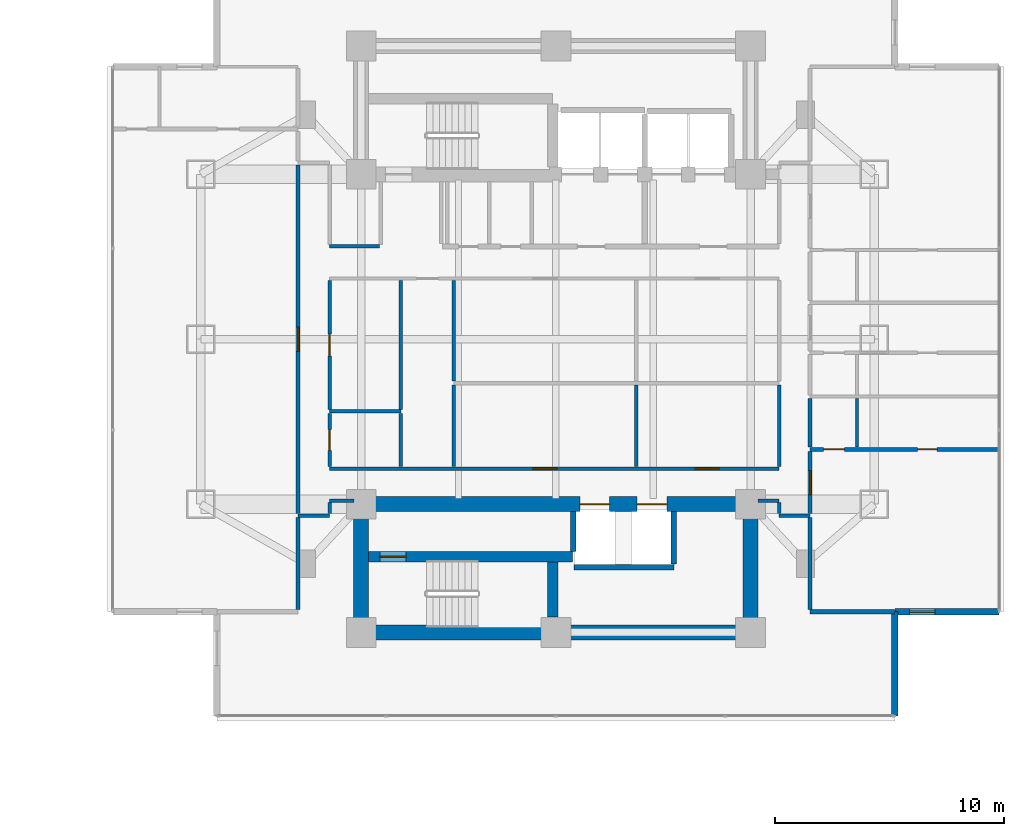
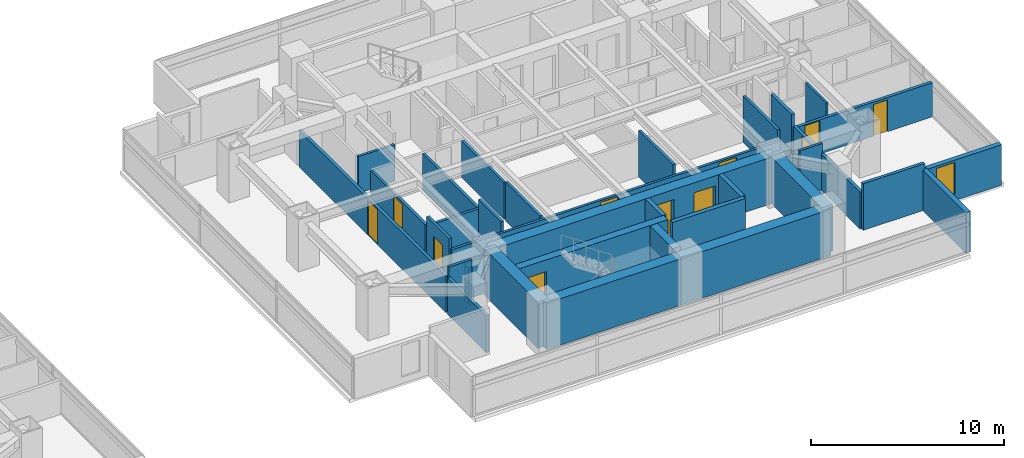
# One storey, part 18 of 26: 36 walls, 11 doors, 1 window, 12 openings.
"""IFC4 building model written with IfcOpenShell, lengths in metres."""

from ifc_helpers import new_model, si_unit, direction, frame, frame_2d, origin, place, context, subcontext, project, spatial, rectangle, extrude, material, layer, layer_set, type_object, element, fill, save


model = new_model("IFC4")

# Units and contexts
model_context = context("Model", 3, precision=1e-05, world=origin(), true_north=direction((0.0, 1.0)))
body_context = subcontext(model_context, "Body", "Model", "MODEL_VIEW")
ifc_project = project(units=[si_unit("LENGTHUNIT", "METRE"), si_unit("AREAUNIT", "SQUARE_METRE"), si_unit("VOLUMEUNIT", "CUBIC_METRE"), si_unit("PLANEANGLEUNIT", "RADIAN"), si_unit("MASSUNIT", "GRAM", prefix="KILO")], contexts=[model_context])

# Site, building, storey
site_placement = place(None, origin())
site = spatial("IfcSite", under=ifc_project, at=site_placement, CompositionType="ELEMENT")
building_placement = place(site_placement, origin())
building = spatial("IfcBuilding", under=site, at=building_placement, Name="Mirazonda Arch Towers", CompositionType="ELEMENT")
storey_placement = place(building_placement, frame((0.0, 0.0, 78.5)))
storey = spatial("IfcBuildingStorey", under=building, at=storey_placement, Name="L22", CompositionType="ELEMENT", Elevation=78.5)

# Wall, opening, door
ifc_material_1 = material(Name="Concrete C50/60", Category="concrete")
ifc_layer_1 = layer(ifc_material_1, 0.449951171875, Name="WALL-CORE-450")
ifc_layer_set_1 = layer_set([ifc_layer_1], Name="Concrete C50/60")
wall_type_1 = type_object("IfcWallType", Name="WALL-CORE-450", PredefinedType="SHEAR", material=ifc_layer_set_1)
wall_1_placement = place(storey_placement, frame((68.320068359375, 18.5, 0.0), z_axis=(0.0, 0.0, 1.0), x_axis=(1.0, 0.0, 0.0)))
wall_1 = element("IfcWall", 1, at=wall_1_placement, inside=storey, type_object=wall_type_1, Name="L22 Stair Core Shear Wall 014", PredefinedType="SHEAR", context=body_context, shape_type="SweptSolid", body=[
    extrude(rectangle(XDim=8.89990234375, YDim=0.449951171875, at=frame_2d((4.449951171875, 0.0))), origin(), (0.0, 0.0, 1.0), 2.93994140625),
])
opening_1_placement = place(wall_1_placement, frame((0.4951171875, 0.0, 0.0)))
opening_1 = element("IfcOpeningElement", 2, at=opening_1_placement, cuts=wall_1, Name="Opening DR-135", PredefinedType="OPENING", context=body_context, shape_type="SweptSolid", body=[
    extrude(rectangle(XDim=1.14990234375, YDim=2.199951171875, at=frame_2d((0.574951171875, 1.10009765625))), frame((0.0, 0.23486328125, 0.0), z_axis=(0.0, -1.0, 0.0), x_axis=(1.0, 0.0, 0.0)), (0.0, 0.0, 1.0), 0.469970703125),
])
ifc_material_2 = material(Name="Architectural Brushed Steel S355", Category="steel")
door_type_1 = type_object("IfcDoorType", Name="DOOR-STAIR-FD90-1150", OperationType="NOTDEFINED", PredefinedType="DOOR", material=ifc_material_2)
door_1_placement = place(opening_1_placement, origin())
door_1 = element("IfcDoor", 3, at=door_1_placement, inside=storey, type_object=door_type_1, Name="L22 East Protected Stair South Door", OperationType="SINGLE_SWING_RIGHT", OverallHeight=2.199951171875, OverallWidth=1.14990234375, PredefinedType="DOOR", context=body_context, shape_type="SweptSolid", body=[
    extrude(rectangle(XDim=1.14990234375, YDim=2.199951171875, at=frame_2d((0.574951171875, 1.10009765625))), frame((0.0, 0.02490234375, 0.0), z_axis=(0.0, -1.0, 0.0), x_axis=(1.0, 0.0, 0.0)), (0.0, 0.0, 1.0), 0.050048828125),
])
fill(opening_1, door_1)

# Walls
wall_2_placement = place(storey_placement, frame((76.360107421875, 15.864990234375, 0.0), z_axis=(0.0, 0.0, 1.0), x_axis=(0.0, 1.0, 0.0)))
element("IfcWall", 4, at=wall_2_placement, inside=storey, type_object=wall_type_1, Name="L22 Stair Core Shear Wall 125", PredefinedType="SHEAR", context=body_context, shape_type="SweptSolid", body=[
    extrude(rectangle(XDim=2.39990234375, YDim=0.449951171875, at=frame_2d((1.199951171875, 0.0))), origin(), (0.0, 0.0, 1.0), 2.93994140625),
])
ifc_material_3 = material(Name="Concrete C60/75", Category="concrete")
ifc_layer_2 = layer(ifc_material_3, 0.64990234375, Name="WALL-CORE-650")
ifc_layer_set_2 = layer_set([ifc_layer_2], Name="Concrete C60/75")
wall_type_2 = type_object("IfcWallType", Name="WALL-CORE-650", PredefinedType="SHEAR", material=ifc_layer_set_2)
wall_3_placement = place(storey_placement, frame((68.0, 15.199951171875, 0.0), z_axis=(0.0, 0.0, 1.0), x_axis=(1.0, 0.0, 0.0)))
element("IfcWall", 5, at=wall_3_placement, inside=storey, type_object=wall_type_2, Name="L22 T2S-S Core Shear Wall", PredefinedType="SHEAR", context=body_context, shape_type="SweptSolid", body=[
    extrude(rectangle(XDim=17.0, YDim=0.64990234375, at=frame_2d((8.5, 0.0))), origin(), (0.0, 0.0, 1.0), 2.93994140625),
])
for number, where, z_axis, x_axis, name in (
    (6, (68.0, 15.199951171875, 0.0), (0.0, 0.0, 1.0), (0.0, 1.0, 0.0), "L22 T2S-W Core Shear Wall"),
    (7, (85.0, 15.199951171875, 0.0), (0.0, 0.0, 1.0), (0.0, 1.0, 0.0), "L22 T2S-E Core Shear Wall"),
):
    element("IfcWall", number, at=place(storey_placement, frame(where, z_axis=z_axis, x_axis=x_axis)), inside=storey, type_object=wall_type_2, Name=name, PredefinedType="SHEAR", context=body_context, shape_type="SweptSolid", body=[
        extrude(rectangle(XDim=5.60009765625, YDim=0.64990234375, at=frame_2d((2.800048828125, 0.0))), origin(), (0.0, 0.0, 1.0), 2.93994140625),
    ])

# Wall, openings, doors
wall_4_placement = place(storey_placement, frame((68.0, 20.800048828125, 0.0), z_axis=(0.0, 0.0, 1.0), x_axis=(1.0, 0.0, 0.0)))
wall_4 = element("IfcWall", 8, at=wall_4_placement, inside=storey, type_object=wall_type_2, Name="L22 T2S-N Core Shear Wall", PredefinedType="SHEAR", context=body_context, shape_type="SweptSolid", body=[
    extrude(rectangle(XDim=17.0, YDim=0.64990234375, at=frame_2d((8.5, 0.0))), origin(), (0.0, 0.0, 1.0), 2.93994140625),
])
opening_2_placement = place(wall_4_placement, frame((9.550048828125, 0.0, 0.0)))
opening_2 = element("IfcOpeningElement", 9, at=opening_2_placement, cuts=wall_4, Name="Opening LD-111", PredefinedType="OPENING", context=body_context, shape_type="SweptSolid", body=[
    extrude(rectangle(XDim=1.300048828125, YDim=2.300048828125, at=frame_2d((0.64990234375, 1.14990234375))), frame((0.0, 0.3349609375, 0.0), z_axis=(0.0, -1.0, 0.0), x_axis=(1.0, 0.0, 0.0)), (0.0, 0.0, 1.0), 0.669921875),
])
opening_3_placement = place(wall_4_placement, frame((12.050048828125, 0.0, 0.0)))
opening_3 = element("IfcOpeningElement", 10, at=opening_3_placement, cuts=wall_4, Name="Opening LD-111", PredefinedType="OPENING", context=body_context, shape_type="SweptSolid", body=[
    extrude(rectangle(XDim=1.300048828125, YDim=2.300048828125, at=frame_2d((0.64990234375, 1.14990234375))), frame((0.0, 0.3349609375, 0.0), z_axis=(0.0, -1.0, 0.0), x_axis=(1.0, 0.0, 0.0)), (0.0, 0.0, 1.0), 0.669921875),
])
door_type_2 = type_object("IfcDoorType", Name="DOOR-LIFT-LAND-1300", OperationType="NOTDEFINED", PredefinedType="DOOR", material=ifc_material_2)
door_2_placement = place(opening_2_placement, origin())
door_2 = element("IfcDoor", 11, at=door_2_placement, inside=storey, type_object=door_type_2, Name="L22 Lift Landing Sliding Door PL-T2H1", OperationType="DOUBLE_DOOR_SLIDING", OverallHeight=2.300048828125, OverallWidth=1.300048828125, PredefinedType="DOOR", context=body_context, shape_type="SweptSolid", body=[
    extrude(rectangle(XDim=1.300048828125, YDim=2.300048828125, at=frame_2d((0.64990234375, 1.14990234375))), frame((0.0, 0.02490234375, 0.0), z_axis=(0.0, -1.0, 0.0), x_axis=(1.0, 0.0, 0.0)), (0.0, 0.0, 1.0), 0.050048828125),
])
fill(opening_2, door_2)
door_3_placement = place(opening_3_placement, origin())
door_3 = element("IfcDoor", 12, at=door_3_placement, inside=storey, type_object=door_type_2, Name="L22 Lift Landing Sliding Door PL-T2H2", OperationType="DOUBLE_DOOR_SLIDING", OverallHeight=2.300048828125, OverallWidth=1.300048828125, PredefinedType="DOOR", context=body_context, shape_type="SweptSolid", body=[
    extrude(rectangle(XDim=1.300048828125, YDim=2.300048828125, at=frame_2d((0.64990234375, 1.14990234375))), frame((0.0, 0.02490234375, 0.0), z_axis=(0.0, -1.0, 0.0), x_axis=(1.0, 0.0, 0.0)), (0.0, 0.0, 1.0), 0.050048828125),
])
fill(opening_3, door_3)

# Wall, opening, window
ifc_material_4 = material(Name="Precast Concrete C40/50", Category="concrete")
ifc_layer_3 = layer(ifc_material_4, 0.280029296875, Name="WALL-EXT-WALL-280")
ifc_layer_set_3 = layer_set([ifc_layer_3], Name="Precast Concrete C40/50")
wall_type_3 = type_object("IfcWallType", Name="WALL-EXT-WALL-280", PredefinedType="SOLIDWALL", material=ifc_layer_set_3)
wall_5_placement = place(storey_placement, frame((91.298095703125, 16.103515625, 0.0), z_axis=(0.0, 0.0, 1.0), x_axis=(1.0, 0.0, 0.0)))
wall_5 = element("IfcWall", 13, at=wall_5_placement, inside=storey, type_object=wall_type_3, Name="L22 T2 Corner Notch Return Wall WL-L22-T2-CSE1", PredefinedType="SOLIDWALL", context=body_context, shape_type="SweptSolid", body=[
    extrude(rectangle(XDim=4.5458984375, YDim=0.280029296875, at=frame_2d((2.27294921875, 0.0))), origin(), (0.0, 0.0, 1.0), 2.56005859375),
])
opening_4_placement = place(wall_5_placement, frame((0.64990234375, 0.0, 0.409912109375)))
opening_4 = element("IfcOpeningElement", 14, at=opening_4_placement, cuts=wall_5, Name="Opening WN-108", PredefinedType="OPENING", context=body_context, shape_type="SweptSolid", body=[
    extrude(rectangle(XDim=1.10009765625, YDim=2.0, at=frame_2d((0.550048828125, 1.0))), frame((0.0, 0.14990234375, 0.0), z_axis=(0.0, -1.0, 0.0), x_axis=(1.0, 0.0, 0.0)), (0.0, 0.0, 1.0), 0.300048828125),
])
ifc_material_5 = material(Name="Insulated Low-E Solar Glass", Category="glass")
window_type = type_object("IfcWindowType", Name="WIN-NOTCH-1100x2000", PartitioningType="SINGLE_PANEL", PredefinedType="WINDOW", material=ifc_material_5)
window_placement = place(opening_4_placement, origin())
window = element("IfcWindow", 15, at=window_placement, inside=storey, type_object=window_type, Name="L22 Punched Facade Window WN-L22-T2-CSE1", OverallHeight=2.0, OverallWidth=1.10009765625, PartitioningType="SINGLE_PANEL", PredefinedType="WINDOW", context=body_context, shape_type="SweptSolid", body=[
    extrude(rectangle(XDim=1.10009765625, YDim=2.0, at=frame_2d((0.550048828125, 1.0))), frame((0.0, 0.030029296875, 0.0), z_axis=(0.0, -1.0, 0.0), x_axis=(1.0, 0.0, 0.0)), (0.0, 0.0, 1.0), 0.06005859375),
])
fill(opening_4, window)

# Walls
wall_6_placement = place(storey_placement, frame((91.298095703125, 11.5576171875, 0.0), z_axis=(0.0, 0.0, 1.0), x_axis=(0.0, 1.0, 0.0)))
element("IfcWall", 16, at=wall_6_placement, inside=storey, type_object=wall_type_3, Name="L22 T2 Corner Notch Return Wall WL-L22-T2-CSE2", PredefinedType="SOLIDWALL", context=body_context, shape_type="SweptSolid", body=[
    extrude(rectangle(XDim=4.5458984375, YDim=0.280029296875, at=frame_2d((2.27294921875, 0.0))), origin(), (0.0, 0.0, 1.0), 2.56005859375),
])
ifc_material_6 = material(Name="Fire-Rated Gypsum Stud Partition")
ifc_layer_4 = layer(ifc_material_6, 0.14990234375, Name="WALL-PART-CORR-150")
ifc_layer_set_4 = layer_set([ifc_layer_4], Name="Fire-Rated Gypsum Stud Partition")
wall_type_4 = type_object("IfcWallType", Name="WALL-PART-CORR-150", PredefinedType="PARTITIONING", material=ifc_layer_set_4)
wall_7_placement = place(storey_placement, frame((65.25, 20.300048828125, 0.0), z_axis=(0.0, 0.0, 1.0), x_axis=(1.0, 0.0, 0.0)))
element("IfcWall", 17, at=wall_7_placement, inside=storey, type_object=wall_type_4, Name="L22 Interior Partition 016", PredefinedType="PARTITIONING", context=body_context, shape_type="SweptSolid", body=[
    extrude(rectangle(XDim=1.3701171875, YDim=0.14990234375, at=frame_2d((0.68505859375, 0.0))), origin(), (0.0, 0.0, 1.0), 2.93994140625),
])
wall_8_placement = place(storey_placement, frame((86.25, 20.300048828125, 0.0), z_axis=(0.0, 0.0, 1.0), x_axis=(1.0, 0.0, 0.0)))
element("IfcWall", 18, at=wall_8_placement, inside=storey, type_object=wall_type_4, Name="L22 Interior Partition 017", PredefinedType="PARTITIONING", context=body_context, shape_type="SweptSolid", body=[
    extrude(rectangle(XDim=1.35009765625, YDim=0.14990234375, at=frame_2d((0.675048828125, 0.0))), origin(), (0.0, 0.0, 1.0), 2.93994140625),
])
wall_9_placement = place(storey_placement, frame((66.6201171875, 20.949951171875, 0.0), z_axis=(0.0, 0.0, 1.0), x_axis=(1.0, 0.0, 0.0)))
element("IfcWall", 19, at=wall_9_placement, inside=storey, type_object=wall_type_4, Name="L22 Interior Partition 018", PredefinedType="PARTITIONING", context=body_context, shape_type="SweptSolid", body=[
    extrude(rectangle(XDim=1.059814453125, YDim=0.14990234375, at=frame_2d((0.52978515625, 0.0))), origin(), (0.0, 0.0, 1.0), 2.33203125),
])
wall_10_placement = place(storey_placement, frame((85.320068359375, 20.949951171875, 0.0), z_axis=(0.0, 0.0, 1.0), x_axis=(1.0, 0.0, 0.0)))
element("IfcWall", 20, at=wall_10_placement, inside=storey, type_object=wall_type_4, Name="L22 Interior Partition 019", PredefinedType="PARTITIONING", context=body_context, shape_type="SweptSolid", body=[
    extrude(rectangle(XDim=0.929931640625, YDim=0.14990234375, at=frame_2d((0.46484375, 0.0))), origin(), (0.0, 0.0, 1.0), 2.33203125),
])

# Wall, openings, doors
wall_11_placement = place(storey_placement, frame((66.6201171875, 22.35009765625, 0.0), z_axis=(0.0, 0.0, 1.0), x_axis=(1.0, 0.0, 0.0)))
wall_11 = element("IfcWall", 21, at=wall_11_placement, inside=storey, type_object=wall_type_4, Name="L22 Interior Partition 021", PredefinedType="PARTITIONING", context=body_context, shape_type="SweptSolid", body=[
    extrude(rectangle(XDim=19.6298828125, YDim=0.14990234375, at=frame_2d((9.81494140625, 0.0))), origin(), (0.0, 0.0, 1.0), 2.31591796875),
])
opening_5_placement = place(wall_11_placement, frame((8.881103515625, 0.0, 0.0)))
opening_5 = element("IfcOpeningElement", 22, at=opening_5_placement, cuts=wall_11, Name="Opening DR-121", PredefinedType="OPENING", context=body_context, shape_type="SweptSolid", body=[
    extrude(rectangle(XDim=1.050048828125, YDim=2.199951171875, at=frame_2d((0.52490234375, 1.10009765625))), frame((0.0, 0.0849609375, 0.0), z_axis=(0.0, -1.0, 0.0), x_axis=(1.0, 0.0, 0.0)), (0.0, 0.0, 1.0), 0.169921875),
])
opening_6_placement = place(wall_11_placement, frame((15.9609375, 0.0, 0.0)))
opening_6 = element("IfcOpeningElement", 23, at=opening_6_placement, cuts=wall_11, Name="Opening DR-121", PredefinedType="OPENING", context=body_context, shape_type="SweptSolid", body=[
    extrude(rectangle(XDim=1.050048828125, YDim=2.199951171875, at=frame_2d((0.52490234375, 1.10009765625))), frame((0.0, 0.0849609375, 0.0), z_axis=(0.0, -1.0, 0.0), x_axis=(1.0, 0.0, 0.0)), (0.0, 0.0, 1.0), 0.169921875),
])
door_type_3 = type_object("IfcDoorType", Name="DOOR-SUITE-FD60-1050", OperationType="NOTDEFINED", PredefinedType="DOOR", material=ifc_material_2)
door_4_placement = place(opening_5_placement, origin())
door_4 = element("IfcDoor", 24, at=door_4_placement, inside=storey, type_object=door_type_3, Name="L22 Executive Club Lounge Door", OperationType="SINGLE_SWING_RIGHT", OverallHeight=2.199951171875, OverallWidth=1.050048828125, PredefinedType="DOOR", context=body_context, shape_type="SweptSolid", body=[
    extrude(rectangle(XDim=1.050048828125, YDim=2.199951171875, at=frame_2d((0.52490234375, 1.10009765625))), frame((0.0, 0.02490234375, 0.0), z_axis=(0.0, -1.0, 0.0), x_axis=(1.0, 0.0, 0.0)), (0.0, 0.0, 1.0), 0.050048828125),
])
fill(opening_5, door_4)
door_5_placement = place(opening_6_placement, origin())
door_5 = element("IfcDoor", 25, at=door_5_placement, inside=storey, type_object=door_type_3, Name="L22 Business Reading Study Door", OperationType="SINGLE_SWING_LEFT", OverallHeight=2.199951171875, OverallWidth=1.050048828125, PredefinedType="DOOR", context=body_context, shape_type="SweptSolid", body=[
    extrude(rectangle(XDim=1.050048828125, YDim=2.199951171875, at=frame_2d((0.52490234375, 1.10009765625))), frame((0.0, 0.02490234375, 0.0), z_axis=(0.0, -1.0, 0.0), x_axis=(1.0, 0.0, 0.0)), (0.0, 0.0, 1.0), 0.050048828125),
])
fill(opening_6, door_5)

# Walls
wall_12_placement = place(storey_placement, frame((66.6201171875, 24.85009765625, 0.0), z_axis=(0.0, 0.0, 1.0), x_axis=(1.0, 0.0, 0.0)))
element("IfcWall", 26, at=wall_12_placement, inside=storey, type_object=wall_type_4, Name="L22 Interior Partition 025", PredefinedType="PARTITIONING", context=body_context, shape_type="SweptSolid", body=[
    extrude(rectangle(XDim=3.1298828125, YDim=0.14990234375, at=frame_2d((1.56494140625, 0.0))), origin(), (0.0, 0.0, 1.0), 2.31591796875),
])
wall_13_placement = place(storey_placement, frame((66.6201171875, 32.050048828125, 0.0), z_axis=(0.0, 0.0, 1.0), x_axis=(1.0, 0.0, 0.0)))
element("IfcWall", 27, at=wall_13_placement, inside=storey, type_object=wall_type_4, Name="L22 Interior Partition 037", PredefinedType="PARTITIONING", context=body_context, shape_type="SweptSolid", body=[
    extrude(rectangle(XDim=2.179931640625, YDim=0.14990234375, at=frame_2d((1.08984375, 0.0))), origin(), (0.0, 0.0, 1.0), 2.31591796875),
])
wall_14_placement = place(storey_placement, frame((66.6201171875, 20.385009765625, 0.0), z_axis=(0.0, 0.0, 1.0), x_axis=(0.0, 1.0, 0.0)))
element("IfcWall", 28, at=wall_14_placement, inside=storey, type_object=wall_type_4, Name="L22 Interior Partition 112", PredefinedType="PARTITIONING", context=body_context, shape_type="SweptSolid", body=[
    extrude(rectangle(XDim=0.47998046875, YDim=0.14990234375, at=frame_2d((0.239990234375, 0.0))), origin(), (0.0, 0.0, 1.0), 2.33203125),
])

# Wall, opening, door
wall_15_placement = place(storey_placement, frame((66.6201171875, 22.43505859375, 0.0), z_axis=(0.0, 0.0, 1.0), x_axis=(0.0, 1.0, 0.0)))
wall_15 = element("IfcWall", 29, at=wall_15_placement, inside=storey, type_object=wall_type_4, Name="L22 Interior Partition 113", PredefinedType="PARTITIONING", context=body_context, shape_type="SweptSolid", body=[
    extrude(rectangle(XDim=2.329833984375, YDim=0.14990234375, at=frame_2d((1.1650390625, 0.0))), origin(), (0.0, 0.0, 1.0), 2.93994140625),
])
opening_7_placement = place(wall_15_placement, frame((0.715087890625, 0.0, 0.0)))
opening_7 = element("IfcOpeningElement", 30, at=opening_7_placement, cuts=wall_15, Name="Opening DR-120", PredefinedType="OPENING", context=body_context, shape_type="SweptSolid", body=[
    extrude(rectangle(XDim=0.89990234375, YDim=2.10009765625, at=frame_2d((0.449951171875, 1.050048828125))), frame((0.0, 0.0849609375, 0.0), z_axis=(0.0, -1.0, 0.0), x_axis=(1.0, 0.0, 0.0)), (0.0, 0.0, 1.0), 0.169921875),
])
door_type_4 = type_object("IfcDoorType", Name="DOOR-WC-900", OperationType="NOTDEFINED", PredefinedType="DOOR", material=ifc_material_2)
door_6_placement = place(opening_7_placement, origin())
door_6 = element("IfcDoor", 31, at=door_6_placement, inside=storey, type_object=door_type_4, Name="L22 Tower 2 Common Accessible WC Door", OperationType="SINGLE_SWING_LEFT", OverallHeight=2.10009765625, OverallWidth=0.89990234375, PredefinedType="DOOR", context=body_context, shape_type="SweptSolid", body=[
    extrude(rectangle(XDim=0.89990234375, YDim=2.10009765625, at=frame_2d((0.449951171875, 1.050048828125))), frame((0.0, 0.02490234375, 0.0), z_axis=(0.0, -1.0, 0.0), x_axis=(1.0, 0.0, 0.0)), (0.0, 0.0, 1.0), 0.050048828125),
])
fill(opening_7, door_6)

wall_16_placement = place(storey_placement, frame((66.6201171875, 24.93505859375, 0.0), z_axis=(0.0, 0.0, 1.0), x_axis=(0.0, 1.0, 0.0)))
wall_16 = element("IfcWall", 32, at=wall_16_placement, inside=storey, type_object=wall_type_4, Name="L22 Interior Partition 114", PredefinedType="PARTITIONING", context=body_context, shape_type="SweptSolid", body=[
    extrude(rectangle(XDim=5.6298828125, YDim=0.14990234375, at=frame_2d((2.81494140625, 0.0))), origin(), (0.0, 0.0, 1.0), 2.31591796875),
])
opening_8_placement = place(wall_16_placement, frame((2.340087890625, 0.0, 0.0)))
opening_8 = element("IfcOpeningElement", 33, at=opening_8_placement, cuts=wall_16, Name="Opening DR-104", PredefinedType="OPENING", context=body_context, shape_type="SweptSolid", body=[
    extrude(rectangle(XDim=0.949951171875, YDim=2.14990234375, at=frame_2d((0.47509765625, 1.074951171875))), frame((0.0, 0.0849609375, 0.0), z_axis=(0.0, -1.0, 0.0), x_axis=(1.0, 0.0, 0.0)), (0.0, 0.0, 1.0), 0.169921875),
])
door_type_5 = type_object("IfcDoorType", Name="DOOR-ROOM-950", OperationType="NOTDEFINED", PredefinedType="DOOR", material=ifc_material_2)
door_7_placement = place(opening_8_placement, origin())
door_7 = element("IfcDoor", 34, at=door_7_placement, inside=storey, type_object=door_type_5, Name="L22 L22 East Courtyard Reading Study Door", OperationType="SINGLE_SWING_RIGHT", OverallHeight=2.14990234375, OverallWidth=0.949951171875, PredefinedType="DOOR", context=body_context, shape_type="SweptSolid", body=[
    extrude(rectangle(XDim=0.949951171875, YDim=2.14990234375, at=frame_2d((0.47509765625, 1.074951171875))), frame((0.0, 0.02490234375, 0.0), z_axis=(0.0, -1.0, 0.0), x_axis=(1.0, 0.0, 0.0)), (0.0, 0.0, 1.0), 0.050048828125),
])
fill(opening_8, door_7)

# Walls
wall_17_placement = place(storey_placement, frame((69.723388671875, 22.43505859375, 0.0), z_axis=(0.0, 0.0, 1.0), x_axis=(0.0, 1.0, 0.0)))
element("IfcWall", 35, at=wall_17_placement, inside=storey, type_object=wall_type_4, Name="L22 Interior Partition 117", PredefinedType="PARTITIONING", context=body_context, shape_type="SweptSolid", body=[
    extrude(rectangle(XDim=2.329833984375, YDim=0.14990234375, at=frame_2d((1.1650390625, 0.0))), origin(), (0.0, 0.0, 1.0), 2.93994140625),
])
wall_18_placement = place(storey_placement, frame((69.723388671875, 24.93505859375, 0.0), z_axis=(0.0, 0.0, 1.0), x_axis=(0.0, 1.0, 0.0)))
element("IfcWall", 36, at=wall_18_placement, inside=storey, type_object=wall_type_4, Name="L22 Interior Partition 118", PredefinedType="PARTITIONING", context=body_context, shape_type="SweptSolid", body=[
    extrude(rectangle(XDim=5.6298828125, YDim=0.14990234375, at=frame_2d((2.81494140625, 0.0))), origin(), (0.0, 0.0, 1.0), 2.31591796875),
])
wall_19_placement = place(storey_placement, frame((72.050048828125, 22.43505859375, 0.0), z_axis=(0.0, 0.0, 1.0), x_axis=(0.0, 1.0, 0.0)))
element("IfcWall", 37, at=wall_19_placement, inside=storey, type_object=wall_type_4, Name="L22 Interior Partition 121", PredefinedType="PARTITIONING", context=body_context, shape_type="SweptSolid", body=[
    extrude(rectangle(XDim=3.56494140625, YDim=0.14990234375, at=frame_2d((1.782470703125, 0.0))), origin(), (0.0, 0.0, 1.0), 2.468994140625),
])
wall_20_placement = place(storey_placement, frame((72.050048828125, 26.169921875, 0.0), z_axis=(0.0, 0.0, 1.0), x_axis=(0.0, 1.0, 0.0)))
element("IfcWall", 38, at=wall_20_placement, inside=storey, type_object=wall_type_4, Name="L22 Interior Partition 122", PredefinedType="PARTITIONING", context=body_context, shape_type="SweptSolid", body=[
    extrude(rectangle(XDim=4.39501953125, YDim=0.14990234375, at=frame_2d((2.197509765625, 0.0))), origin(), (0.0, 0.0, 1.0), 2.31591796875),
])
wall_21_placement = place(storey_placement, frame((80.001953125, 22.43505859375, 0.0), z_axis=(0.0, 0.0, 1.0), x_axis=(0.0, 1.0, 0.0)))
element("IfcWall", 39, at=wall_21_placement, inside=storey, type_object=wall_type_4, Name="L22 Interior Partition 128", PredefinedType="PARTITIONING", context=body_context, shape_type="SweptSolid", body=[
    extrude(rectangle(XDim=3.56494140625, YDim=0.14990234375, at=frame_2d((1.782470703125, 0.0))), origin(), (0.0, 0.0, 1.0), 2.93994140625),
])
wall_22_placement = place(storey_placement, frame((86.25, 20.385009765625, 0.0), z_axis=(0.0, 0.0, 1.0), x_axis=(0.0, 1.0, 0.0)))
element("IfcWall", 40, at=wall_22_placement, inside=storey, type_object=wall_type_4, Name="L22 Interior Partition 134", PredefinedType="PARTITIONING", context=body_context, shape_type="SweptSolid", body=[
    extrude(rectangle(XDim=0.47998046875, YDim=0.14990234375, at=frame_2d((0.239990234375, 0.0))), origin(), (0.0, 0.0, 1.0), 2.33203125),
])
wall_23_placement = place(storey_placement, frame((86.25, 22.43505859375, 0.0), z_axis=(0.0, 0.0, 1.0), x_axis=(0.0, 1.0, 0.0)))
element("IfcWall", 41, at=wall_23_placement, inside=storey, type_object=wall_type_4, Name="L22 Interior Partition 135", PredefinedType="PARTITIONING", context=body_context, shape_type="SweptSolid", body=[
    extrude(rectangle(XDim=3.56494140625, YDim=0.14990234375, at=frame_2d((1.782470703125, 0.0))), origin(), (0.0, 0.0, 1.0), 2.93994140625),
])
ifc_material_7 = material(Name="Fire-Rated Gypsum Twin-Stud Assembly")
ifc_layer_5 = layer(ifc_material_7, 0.179931640625, Name="WALL-PART-DEMISE-180")
ifc_layer_set_5 = layer_set([ifc_layer_5], Name="Fire-Rated Gypsum Twin-Stud Assembly")
wall_type_5 = type_object("IfcWallType", Name="WALL-PART-DEMISE-180", PredefinedType="PARTITIONING", material=ifc_layer_set_5)
wall_24_placement = place(storey_placement, frame((87.60009765625, 16.10400390625, 0.0), z_axis=(0.0, 0.0, 1.0), x_axis=(1.0, 0.0, 0.0)))
element("IfcWall", 42, at=wall_24_placement, inside=storey, type_object=wall_type_5, Name="L22 Interior Partition 009", PredefinedType="PARTITIONING", context=body_context, shape_type="SweptSolid", body=[
    extrude(rectangle(XDim=3.677978515625, YDim=0.179931640625, at=frame_2d((1.8388671875, 0.0))), origin(), (0.0, 0.0, 1.0), 2.93994140625),
])

# Wall, openings, doors
wall_25_placement = place(storey_placement, frame((87.60009765625, 23.19189453125, 0.0), z_axis=(0.0, 0.0, 1.0), x_axis=(1.0, 0.0, 0.0)))
wall_25 = element("IfcWall", 43, at=wall_25_placement, inside=storey, type_object=wall_type_5, Name="L22 Interior Partition 023", PredefinedType="PARTITIONING", context=body_context, shape_type="SweptSolid", body=[
    extrude(rectangle(XDim=8.243896484375, YDim=0.179931640625, at=frame_2d((4.1220703125, 0.0))), origin(), (0.0, 0.0, 1.0), 2.158935546875),
])
opening_9_placement = place(wall_25_placement, frame((4.697021484375, 0.0, 0.0)))
opening_9 = element("IfcOpeningElement", 44, at=opening_9_placement, cuts=wall_25, Name="Opening DR-128", PredefinedType="OPENING", context=body_context, shape_type="SweptSolid", body=[
    extrude(rectangle(XDim=0.85009765625, YDim=2.010009765625, at=frame_2d((0.425048828125, 1.0048828125))), frame((0.0, 0.099853515625, 0.0), z_axis=(0.0, -1.0, 0.0), x_axis=(1.0, 0.0, 0.0)), (0.0, 0.0, 1.0), 0.199951171875),
])
opening_10_placement = place(wall_25_placement, frame((0.590087890625, 0.0, 0.0)))
opening_10 = element("IfcOpeningElement", 45, at=opening_10_placement, cuts=wall_25, Name="Opening DR-120", PredefinedType="OPENING", context=body_context, shape_type="SweptSolid", body=[
    extrude(rectangle(XDim=0.89990234375, YDim=2.10009765625, at=frame_2d((0.449951171875, 1.050048828125))), frame((0.0, 0.099853515625, 0.0), z_axis=(0.0, -1.0, 0.0), x_axis=(1.0, 0.0, 0.0)), (0.0, 0.0, 1.0), 0.199951171875),
])
door_type_6 = type_object("IfcDoorType", Name="DOOR-RISER-FD60-850", OperationType="NOTDEFINED", PredefinedType="DOOR", material=ifc_material_2)
door_8_placement = place(opening_9_placement, origin())
door_8 = element("IfcDoor", 46, at=door_8_placement, inside=storey, type_object=door_type_6, Name="L22 Guestroom Study 1 Door", OperationType="SINGLE_SWING_RIGHT", OverallHeight=2.010009765625, OverallWidth=0.85009765625, PredefinedType="DOOR", context=body_context, shape_type="SweptSolid", body=[
    extrude(rectangle(XDim=0.85009765625, YDim=2.010009765625, at=frame_2d((0.425048828125, 1.0048828125))), frame((0.0, 0.02490234375, 0.0), z_axis=(0.0, -1.0, 0.0), x_axis=(1.0, 0.0, 0.0)), (0.0, 0.0, 1.0), 0.050048828125),
])
fill(opening_9, door_8)
door_9_placement = place(opening_10_placement, origin())
door_9 = element("IfcDoor", 47, at=door_9_placement, inside=storey, type_object=door_type_4, Name="L22 En-Suite Bathroom 1 Door", OperationType="SINGLE_SWING_LEFT", OverallHeight=2.10009765625, OverallWidth=0.89990234375, PredefinedType="DOOR", context=body_context, shape_type="SweptSolid", body=[
    extrude(rectangle(XDim=0.89990234375, YDim=2.10009765625, at=frame_2d((0.449951171875, 1.050048828125))), frame((0.0, 0.02490234375, 0.0), z_axis=(0.0, -1.0, 0.0), x_axis=(1.0, 0.0, 0.0)), (0.0, 0.0, 1.0), 0.050048828125),
])
fill(opening_10, door_9)

# Wall
wall_26_placement = place(storey_placement, frame((65.25, 16.2041015625, 0.0), z_axis=(0.0, 0.0, 1.0), x_axis=(0.0, 1.0, 0.0)))
element("IfcWall", 48, at=wall_26_placement, inside=storey, type_object=wall_type_5, Name="L22 Interior Partition 108", PredefinedType="PARTITIONING", context=body_context, shape_type="SweptSolid", body=[
    extrude(rectangle(XDim=4.010986328125, YDim=0.179931640625, at=frame_2d((2.00537109375, 0.0))), origin(), (0.0, 0.0, 1.0), 2.31591796875),
])

# Wall, opening, door
wall_27_placement = place(storey_placement, frame((65.25, 20.385009765625, 0.0), z_axis=(0.0, 0.0, 1.0), x_axis=(0.0, 1.0, 0.0)))
wall_27 = element("IfcWall", 49, at=wall_27_placement, inside=storey, type_object=wall_type_5, Name="L22 Interior Partition 109", PredefinedType="PARTITIONING", context=body_context, shape_type="SweptSolid", body=[
    extrude(rectangle(XDim=15.22998046875, YDim=0.179931640625, at=frame_2d((7.614990234375, 0.0))), origin(), (0.0, 0.0, 1.0), 2.31591796875),
])
opening_11_placement = place(wall_27_placement, frame((7.090087890625, 0.0, 0.0)))
opening_11 = element("IfcOpeningElement", 50, at=opening_11_placement, cuts=wall_27, Name="Opening DR-121", PredefinedType="OPENING", context=body_context, shape_type="SweptSolid", body=[
    extrude(rectangle(XDim=1.050048828125, YDim=2.199951171875, at=frame_2d((0.52490234375, 1.10009765625))), frame((0.0, 0.099853515625, 0.0), z_axis=(0.0, -1.0, 0.0), x_axis=(1.0, 0.0, 0.0)), (0.0, 0.0, 1.0), 0.199951171875),
])
door_10_placement = place(opening_11_placement, origin())
door_10 = element("IfcDoor", 51, at=door_10_placement, inside=storey, type_object=door_type_3, Name="L22 Presidential Hotel Suite 1 Door", OperationType="SINGLE_SWING_RIGHT", OverallHeight=2.199951171875, OverallWidth=1.050048828125, PredefinedType="DOOR", context=body_context, shape_type="SweptSolid", body=[
    extrude(rectangle(XDim=1.050048828125, YDim=2.199951171875, at=frame_2d((0.52490234375, 1.10009765625))), frame((0.0, 0.02490234375, 0.0), z_axis=(0.0, -1.0, 0.0), x_axis=(1.0, 0.0, 0.0)), (0.0, 0.0, 1.0), 0.050048828125),
])
fill(opening_11, door_10)

# Wall
wall_28_placement = place(storey_placement, frame((87.60009765625, 16.2041015625, 0.0), z_axis=(0.0, 0.0, 1.0), x_axis=(0.0, 1.0, 0.0)))
element("IfcWall", 52, at=wall_28_placement, inside=storey, type_object=wall_type_5, Name="L22 Interior Partition 139", PredefinedType="PARTITIONING", context=body_context, shape_type="SweptSolid", body=[
    extrude(rectangle(XDim=4.010986328125, YDim=0.179931640625, at=frame_2d((2.00537109375, 0.0))), origin(), (0.0, 0.0, 1.0), 2.31591796875),
])

# Wall, opening, door
wall_29_placement = place(storey_placement, frame((87.60009765625, 20.385009765625, 0.0), z_axis=(0.0, 0.0, 1.0), x_axis=(0.0, 1.0, 0.0)))
wall_29 = element("IfcWall", 53, at=wall_29_placement, inside=storey, type_object=wall_type_5, Name="L22 Interior Partition 140", PredefinedType="PARTITIONING", context=body_context, shape_type="SweptSolid", body=[
    extrude(rectangle(XDim=2.70703125, YDim=0.179931640625, at=frame_2d((1.353515625, 0.0))), origin(), (0.0, 0.0, 1.0), 2.33203125),
])
opening_12_placement = place(wall_29_placement, frame((0.82861328125, 0.0, 0.0)))
opening_12 = element("IfcOpeningElement", 54, at=opening_12_placement, cuts=wall_29, Name="Opening DR-121", PredefinedType="OPENING", context=body_context, shape_type="SweptSolid", body=[
    extrude(rectangle(XDim=1.050048828125, YDim=2.199951171875, at=frame_2d((0.52490234375, 1.10009765625))), frame((0.0, 0.099853515625, 0.0), z_axis=(0.0, -1.0, 0.0), x_axis=(1.0, 0.0, 0.0)), (0.0, 0.0, 1.0), 0.199951171875),
])
door_11_placement = place(opening_12_placement, origin())
door_11 = element("IfcDoor", 55, at=door_11_placement, inside=storey, type_object=door_type_3, Name="L22 King Hotel Guestroom 1 Door", OperationType="SINGLE_SWING_LEFT", OverallHeight=2.199951171875, OverallWidth=1.050048828125, PredefinedType="DOOR", context=body_context, shape_type="SweptSolid", body=[
    extrude(rectangle(XDim=1.050048828125, YDim=2.199951171875, at=frame_2d((0.52490234375, 1.10009765625))), frame((0.0, 0.02490234375, 0.0), z_axis=(0.0, -1.0, 0.0), x_axis=(1.0, 0.0, 0.0)), (0.0, 0.0, 1.0), 0.050048828125),
])
fill(opening_12, door_11)

# Walls
wall_30_placement = place(storey_placement, frame((87.60009765625, 23.2919921875, 0.0), z_axis=(0.0, 0.0, 1.0), x_axis=(0.0, 1.0, 0.0)))
element("IfcWall", 56, at=wall_30_placement, inside=storey, type_object=wall_type_5, Name="L22 Interior Partition 141", PredefinedType="PARTITIONING", context=body_context, shape_type="SweptSolid", body=[
    extrude(rectangle(XDim=2.12744140625, YDim=0.179931640625, at=frame_2d((1.063720703125, 0.0))), origin(), (0.0, 0.0, 1.0), 2.93994140625),
])
ifc_material_8 = material(Name="Acoustic Fire-Rated Gypsum Partition")
ifc_layer_6 = layer(ifc_material_8, 0.125, Name="WALL-PART-UNIT-125")
ifc_layer_set_6 = layer_set([ifc_layer_6], Name="Acoustic Fire-Rated Gypsum Partition")
wall_type_6 = type_object("IfcWallType", Name="WALL-PART-UNIT-125", PredefinedType="PARTITIONING", material=ifc_layer_set_6)
wall_31_placement = place(storey_placement, frame((89.639892578125, 23.2919921875, 0.0), z_axis=(0.0, 0.0, 1.0), x_axis=(0.0, 1.0, 0.0)))
element("IfcWall", 57, at=wall_31_placement, inside=storey, type_object=wall_type_6, Name="L22 Interior Partition 147", PredefinedType="PARTITIONING", context=body_context, shape_type="SweptSolid", body=[
    extrude(rectangle(XDim=2.12744140625, YDim=0.125, at=frame_2d((1.063720703125, 0.0))), origin(), (0.0, 0.0, 1.0), 2.93994140625),
])
ifc_material_9 = material(Name="Concrete C40/50", Category="concrete")
ifc_layer_7 = layer(ifc_material_9, 0.25, Name="WALL-SHAFT-250")
ifc_layer_set_7 = layer_set([ifc_layer_7], Name="Concrete C40/50")
wall_type_7 = type_object("IfcWallType", Name="WALL-SHAFT-250", PredefinedType="SOLIDWALL", material=ifc_layer_set_7)
wall_32_placement = place(storey_placement, frame((77.300048828125, 18.050048828125, 0.0), z_axis=(0.0, 0.0, 1.0), x_axis=(1.0, 0.0, 0.0)))
element("IfcWall", 58, at=wall_32_placement, inside=storey, type_object=wall_type_7, Name="L22 Interior Partition 011", PredefinedType="SOLIDWALL", context=body_context, shape_type="SweptSolid", body=[
    extrude(rectangle(XDim=4.349853515625, YDim=0.25, at=frame_2d((2.1748046875, 0.0))), origin(), (0.0, 0.0, 1.0), 2.93994140625),
])
wall_33_placement = place(storey_placement, frame((77.260009765625, 18.735107421875, 0.0), z_axis=(0.0, 0.0, 1.0), x_axis=(0.0, 1.0, 0.0)))
element("IfcWall", 59, at=wall_33_placement, inside=storey, type_object=wall_type_7, Name="L22 Interior Partition 127", PredefinedType="SOLIDWALL", context=body_context, shape_type="SweptSolid", body=[
    extrude(rectangle(XDim=1.744873046875, YDim=0.25, at=frame_2d((0.87255859375, 0.0))), origin(), (0.0, 0.0, 1.0), 2.93994140625),
])
wall_34_placement = place(storey_placement, frame((81.64990234375, 18.18505859375, 0.0), z_axis=(0.0, 0.0, 1.0), x_axis=(0.0, 1.0, 0.0)))
element("IfcWall", 60, at=wall_34_placement, inside=storey, type_object=wall_type_7, Name="L22 Interior Partition 132", PredefinedType="SOLIDWALL", context=body_context, shape_type="SweptSolid", body=[
    extrude(rectangle(XDim=2.294921875, YDim=0.25, at=frame_2d((1.1474609375, 0.0))), origin(), (0.0, 0.0, 1.0), 2.93994140625),
])

save(model, "model.ifc")
